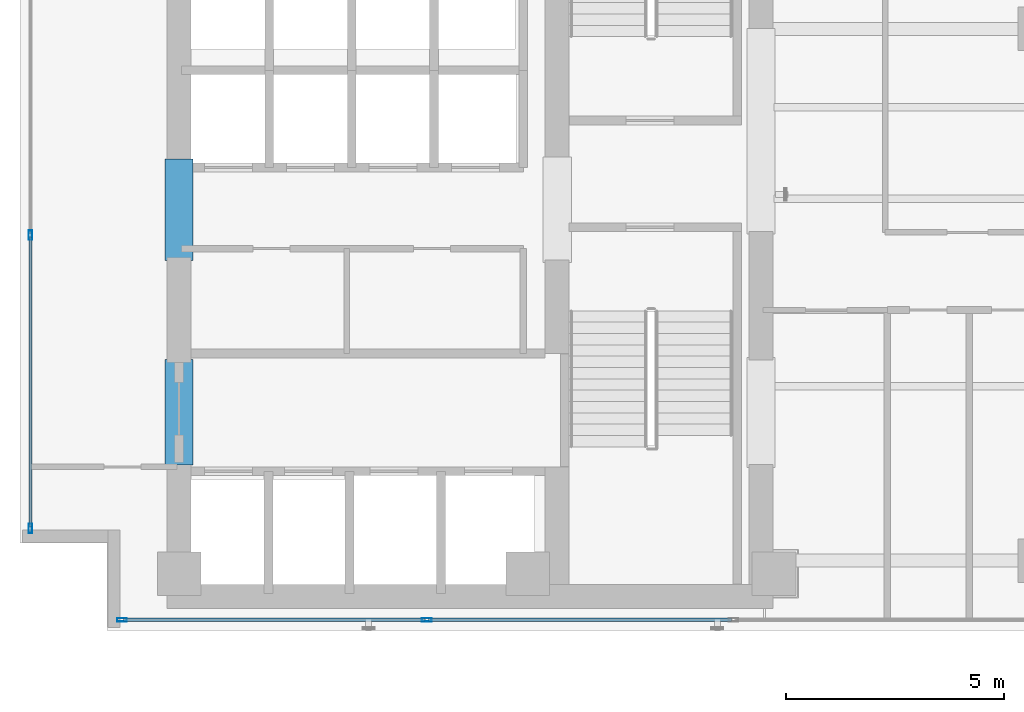
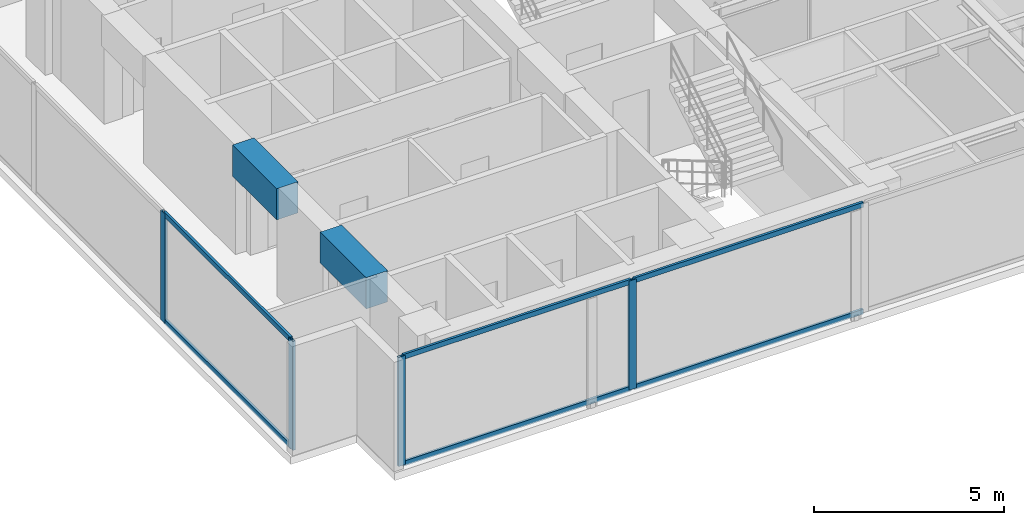
# One storey, part 2 of 22: 10 members, 2 beams, 2 elements without a shape of their own.
"""IFC4 building model written with IfcOpenShell, lengths in metres."""

from ifc_helpers import new_model, si_unit, direction, frame, origin, origin_with_axes, origin_2d, place, context, subcontext, project, spatial, rectangle, hollow_rectangle, extrude, source, transform, mapped, material, layer, layer_set, material_profile, profile_set, type_object, element, aggregate, save


model = new_model("IFC4")

# Units and contexts
model_context = context("Model", 3, precision=1e-05, world=origin(), true_north=direction((0.0, 1.0)))
body_context = subcontext(model_context, "Body", "Model", "MODEL_VIEW")
ifc_project = project(units=[si_unit("LENGTHUNIT", "METRE"), si_unit("AREAUNIT", "SQUARE_METRE"), si_unit("VOLUMEUNIT", "CUBIC_METRE"), si_unit("PLANEANGLEUNIT", "RADIAN"), si_unit("MASSUNIT", "GRAM", prefix="KILO")], contexts=[model_context])

# Site, building, storey
site_placement = place(None, origin())
site = spatial("IfcSite", under=ifc_project, at=site_placement, CompositionType="ELEMENT")
building_placement = place(site_placement, origin())
building = spatial("IfcBuilding", under=site, at=building_placement, Name="Kolvaren Waterfront Exchange", CompositionType="ELEMENT")
storey_placement = place(building_placement, frame((0.0, 0.0, 219.699951171875)))
storey = spatial("IfcBuildingStorey", under=building, at=storey_placement, Name="L56", CompositionType="ELEMENT", Elevation=219.699951171875)

# Beams
ifc_material_1 = material(Name="Concrete C60/75", Category="concrete")
ifc_material_profile_1 = material_profile(ifc_material_1, rectangle(XDim=0.64990234375, YDim=1.0, at=origin_2d()), Name="RC-CB-1000x650")
ifc_profile_set_1 = profile_set([ifc_material_profile_1], Name="Concrete C60/75")
beam_type = type_object("IfcBeamType", Name="STR-CB-1000", PredefinedType="SPANDREL", material=ifc_profile_set_1)
beam_1_placement = place(storey_placement, frame((7.449951171875, 7.389892578125, 3.0), z_axis=(0.0, 1.0, 0.0), x_axis=(-1.0, 0.0, 0.0)))
element("IfcBeam", 1, at=beam_1_placement, inside=storey, type_object=beam_type, Name="L56 core coupling beam 3", PredefinedType="SPANDREL", context=body_context, shape_type="SweptSolid", body=[
    extrude(rectangle(XDim=0.64990234375, YDim=1.0, at=origin_2d()), origin(), (0.0, 0.0, 1.0), 2.420166015625),
])
beam_2_placement = place(storey_placement, frame((7.449951171875, 12.090087890625, 3.0), z_axis=(0.0, 1.0, 0.0), x_axis=(-1.0, 0.0, 0.0)))
element("IfcBeam", 2, at=beam_2_placement, inside=storey, type_object=beam_type, Name="L56 core coupling beam 4", PredefinedType="SPANDREL", context=body_context, shape_type="SweptSolid", body=[
    extrude(rectangle(XDim=0.64990234375, YDim=1.0, at=origin_2d()), origin(), (0.0, 0.0, 1.0), 2.31982421875),
])

# Curtain wall, members
ifc_material_2 = material(Name="Anodised bronze aluminium 6063-T6", Category="aluminium")
ifc_layer_1 = layer(ifc_material_2, 0.219970703125, Name="Anodised bronze aluminium 6063-T6")
ifc_layer_set_1 = layer_set([ifc_layer_1], Name="Anodised bronze aluminium 6063-T6")
curtain_wall_type_1 = type_object("IfcCurtainWallType", Name="ARC-CW-SYS1", PredefinedType="USERDEFINED", material=ifc_layer_set_1)
curtain_wall_1_placement = place(storey_placement, origin())
curtain_wall_1 = element("IfcCurtainWall", 3, at=curtain_wall_1_placement, inside=storey, type_object=curtain_wall_type_1, Name="L56 stick curtain wall CW1 (CW-L56-S)", ObjectType="STICK CURTAIN WALL", PredefinedType="USERDEFINED")
ifc_material_3 = material(Name="Anodised aluminium 6063-T6", Category="aluminium")
ifc_material_profile_2 = material_profile(ifc_material_3, hollow_rectangle(XDim=0.080078125, YDim=0.219970703125, WallThickness=0.0048828125, at=origin_2d()), Name="ALU-MUL-220x80x5")
ifc_profile_set_2 = profile_set([ifc_material_profile_2], Name="Anodised aluminium 6063-T6")
member_type_1 = type_object("IfcMemberType", Name="ARC-CWM-220", PredefinedType="MULLION", material=ifc_profile_set_2)
shared_shape_1 = source(origin_with_axes(), body_context, "Body", "SweptSolid", [
    extrude(hollow_rectangle(XDim=0.080078125, YDim=0.219970703125, WallThickness=0.0048828125, at=origin_2d()), origin(), (0.0, 0.0, 1.0), 3.5),
])
member_1_placement = place(storey_placement, frame((6.139892578125, 3.840087890625, 0.0), z_axis=(0.0, 0.0, 1.0), x_axis=(0.0, 1.0, 0.0)))
member_1 = element("IfcMember", 4, at=member_1_placement, type_object=member_type_1, Name="CW1 mullion 1", PredefinedType="MULLION", context=body_context, shape_type="MappedRepresentation", body=[
    mapped(shared_shape_1, transform((0.0, 0.0, 0.0), x_axis=(1.0, 0.0, 0.0), y_axis=(0.0, 1.0, 0.0), z_axis=(0.0, 0.0, 1.0), scale=1.0)),
])
member_2_placement = place(storey_placement, frame((13.13330078125, 3.840087890625, 0.0), z_axis=(0.0, 0.0, 1.0), x_axis=(0.0, 1.0, 0.0)))
member_2 = element("IfcMember", 5, at=member_2_placement, type_object=member_type_1, Name="CW1 mullion 2", PredefinedType="MULLION", context=body_context, shape_type="MappedRepresentation", body=[
    mapped(shared_shape_1, transform((0.0, 0.0, 0.0), x_axis=(1.0, 0.0, 0.0), y_axis=(0.0, 1.0, 0.0), z_axis=(0.0, 0.0, 1.0), scale=1.0)),
])

ifc_layer_2 = layer(ifc_material_3, 0.219970703125, Name="Anodised aluminium 6063-T6")
ifc_layer_set_2 = layer_set([ifc_layer_2], Name="Anodised aluminium 6063-T6")
curtain_wall_type_2 = type_object("IfcCurtainWallType", Name="ARC-CW-SYS2", PredefinedType="USERDEFINED", material=ifc_layer_set_2)
curtain_wall_2_placement = place(storey_placement, origin())
curtain_wall_2 = element("IfcCurtainWall", 6, at=curtain_wall_2_placement, inside=storey, type_object=curtain_wall_type_2, Name="L56 stick curtain wall CW2 (CW-L56-W)", ObjectType="STICK CURTAIN WALL", PredefinedType="USERDEFINED")
member_3_placement = place(storey_placement, frame((4.0400390625, 5.93994140625, 0.0), z_axis=(0.0, 0.0, 1.0), x_axis=(-1.0, 0.0, 0.0)))
member_3 = element("IfcMember", 7, at=member_3_placement, type_object=member_type_1, Name="CW2 mullion 1", PredefinedType="MULLION", context=body_context, shape_type="MappedRepresentation", body=[
    mapped(shared_shape_1, transform((0.0, 0.0, 0.0), x_axis=(1.0, 0.0, 0.0), y_axis=(0.0, 1.0, 0.0), z_axis=(0.0, 0.0, 1.0), scale=1.0)),
])
member_4_placement = place(storey_placement, frame((4.0400390625, 12.666748046875, 0.0), z_axis=(0.0, 0.0, 1.0), x_axis=(-1.0, 0.0, 0.0)))
member_4 = element("IfcMember", 8, at=member_4_placement, type_object=member_type_1, Name="CW2 mullion 2", PredefinedType="MULLION", context=body_context, shape_type="MappedRepresentation", body=[
    mapped(shared_shape_1, transform((0.0, 0.0, 0.0), x_axis=(1.0, 0.0, 0.0), y_axis=(0.0, 1.0, 0.0), z_axis=(0.0, 0.0, 1.0), scale=1.0)),
])
ifc_material_profile_3 = material_profile(ifc_material_3, hollow_rectangle(XDim=0.074951171875, YDim=0.159912109375, WallThickness=0.00439453125, at=origin_2d()), Name="ALU-TRN-160x75x4.5")
ifc_profile_set_3 = profile_set([ifc_material_profile_3], Name="Anodised aluminium 6063-T6")
member_type_2 = type_object("IfcMemberType", Name="ARC-CWT-160", PredefinedType="USERDEFINED", material=ifc_profile_set_3)
shared_shape_2 = source(origin_with_axes(), body_context, "Body", "SweptSolid", [
    extrude(hollow_rectangle(XDim=0.074951171875, YDim=0.159912109375, WallThickness=0.00439453125, at=origin_2d()), origin(), (0.0, 0.0, 1.0), 6.646728515625),
])
member_5_placement = place(storey_placement, frame((4.0400390625, 5.97998046875, 0.03759765625), z_axis=(0.0, 1.0, 0.0), x_axis=(-1.0, 0.0, 0.0)))
member_5 = element("IfcMember", 9, at=member_5_placement, type_object=member_type_2, Name="CW2 transom 1.1", ObjectType="TRANSOM", PredefinedType="USERDEFINED", context=body_context, shape_type="MappedRepresentation", body=[
    mapped(shared_shape_2, transform((0.0, 0.0, 0.0), x_axis=(1.0, 0.0, 0.0), y_axis=(0.0, 1.0, 0.0), z_axis=(0.0, 0.0, 1.0), scale=1.0)),
])
member_6_placement = place(storey_placement, frame((4.0400390625, 5.97998046875, 3.462646484375), z_axis=(0.0, 1.0, 0.0), x_axis=(-1.0, 0.0, 0.0)))
member_6 = element("IfcMember", 10, at=member_6_placement, type_object=member_type_2, Name="CW2 transom 1.2", ObjectType="TRANSOM", PredefinedType="USERDEFINED", context=body_context, shape_type="MappedRepresentation", body=[
    mapped(shared_shape_2, transform((0.0, 0.0, 0.0), x_axis=(1.0, 0.0, 0.0), y_axis=(0.0, 1.0, 0.0), z_axis=(0.0, 0.0, 1.0), scale=1.0)),
])
aggregate(curtain_wall_2, [member_3, member_4, member_5, member_6])

# Member
shared_shape_3 = source(origin_with_axes(), body_context, "Body", "SweptSolid", [
    extrude(hollow_rectangle(XDim=0.074951171875, YDim=0.159912109375, WallThickness=0.00439453125, at=origin_2d()), origin(), (0.0, 0.0, 1.0), 6.913330078125),
])
member_7_placement = place(storey_placement, frame((6.179931640625, 3.840087890625, 0.03759765625), z_axis=(1.0, 0.0, 0.0), x_axis=(0.0, 1.0, 0.0)))
member_7 = element("IfcMember", 11, at=member_7_placement, type_object=member_type_2, Name="CW1 transom 1.1", ObjectType="TRANSOM", PredefinedType="USERDEFINED", context=body_context, shape_type="MappedRepresentation", body=[
    mapped(shared_shape_3, transform((0.0, 0.0, 0.0), x_axis=(1.0, 0.0, 0.0), y_axis=(0.0, 1.0, 0.0), z_axis=(0.0, 0.0, 1.0), scale=1.0)),
])

member_8_placement = place(storey_placement, frame((6.179931640625, 3.840087890625, 3.462646484375), z_axis=(1.0, 0.0, 0.0), x_axis=(0.0, 1.0, 0.0)))
member_8 = element("IfcMember", 12, at=member_8_placement, type_object=member_type_2, Name="CW1 transom 1.2", ObjectType="TRANSOM", PredefinedType="USERDEFINED", context=body_context, shape_type="MappedRepresentation", body=[
    mapped(shared_shape_3, transform((0.0, 0.0, 0.0), x_axis=(1.0, 0.0, 0.0), y_axis=(0.0, 1.0, 0.0), z_axis=(0.0, 0.0, 1.0), scale=1.0)),
])

shared_shape_4 = source(origin_with_axes(), body_context, "Body", "SweptSolid", [
    extrude(hollow_rectangle(XDim=0.074951171875, YDim=0.159912109375, WallThickness=0.00439453125, at=origin_2d()), origin(), (0.0, 0.0, 1.0), 6.953369140625),
])
member_9_placement = place(storey_placement, frame((13.17333984375, 3.840087890625, 0.03759765625), z_axis=(1.0, 0.0, 0.0), x_axis=(0.0, 1.0, 0.0)))
member_9 = element("IfcMember", 13, at=member_9_placement, type_object=member_type_2, Name="CW1 transom 2.1", ObjectType="TRANSOM", PredefinedType="USERDEFINED", context=body_context, shape_type="MappedRepresentation", body=[
    mapped(shared_shape_4, transform((0.0, 0.0, 0.0), x_axis=(1.0, 0.0, 0.0), y_axis=(0.0, 1.0, 0.0), z_axis=(0.0, 0.0, 1.0), scale=1.0)),
])

member_10_placement = place(storey_placement, frame((13.17333984375, 3.840087890625, 3.462646484375), z_axis=(1.0, 0.0, 0.0), x_axis=(0.0, 1.0, 0.0)))
member_10 = element("IfcMember", 14, at=member_10_placement, type_object=member_type_2, Name="CW1 transom 2.2", ObjectType="TRANSOM", PredefinedType="USERDEFINED", context=body_context, shape_type="MappedRepresentation", body=[
    mapped(shared_shape_4, transform((0.0, 0.0, 0.0), x_axis=(1.0, 0.0, 0.0), y_axis=(0.0, 1.0, 0.0), z_axis=(0.0, 0.0, 1.0), scale=1.0)),
])

aggregate(curtain_wall_1, [member_1, member_2, member_7, member_8, member_9, member_10])

save(model, "model.ifc")
